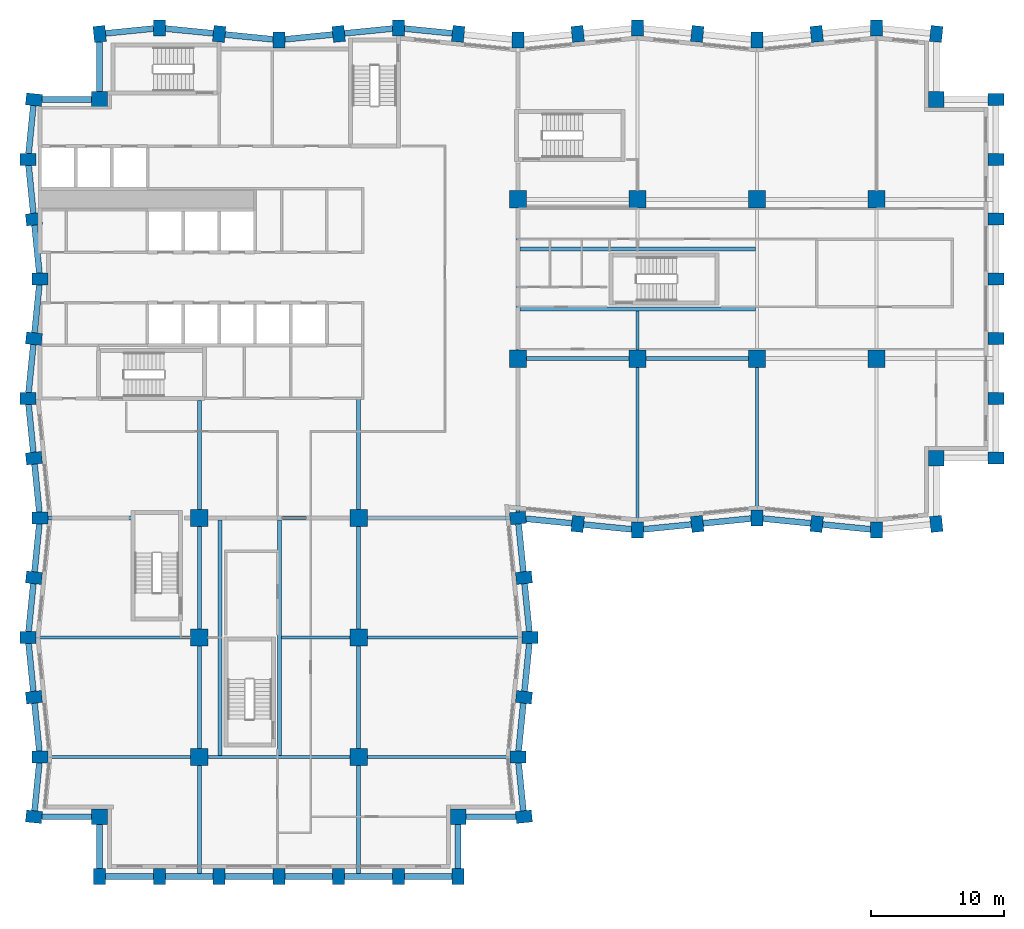
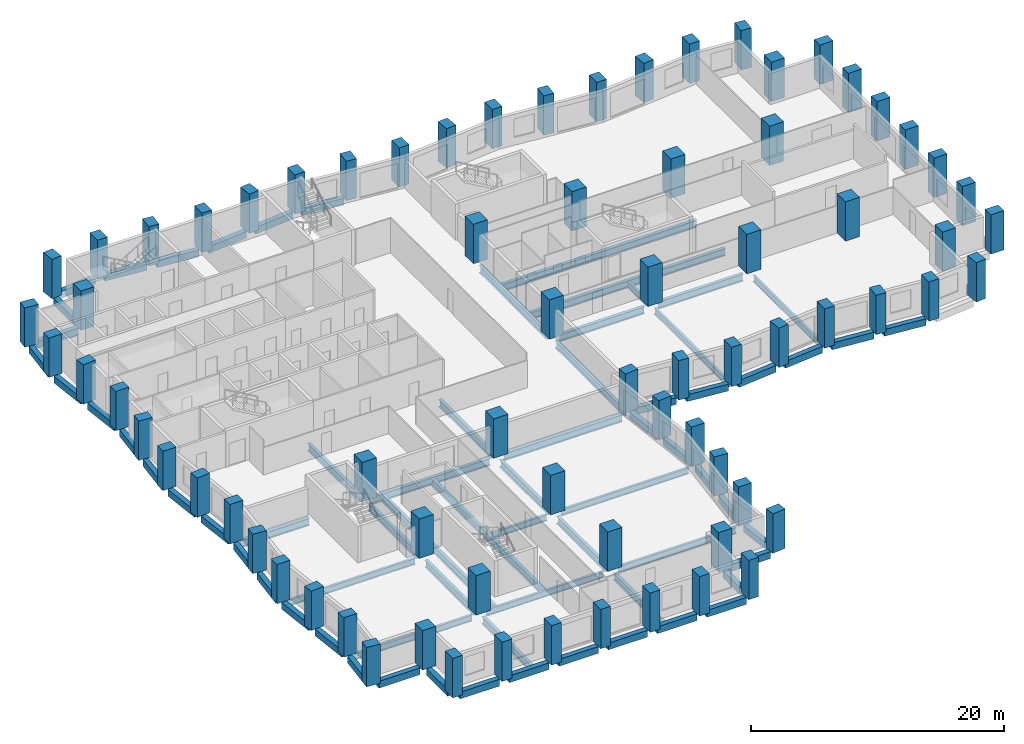
# One storey, part 1 of 11: 74 columns, 69 beams.
"""IFC4 building model written with IfcOpenShell, lengths in metres."""

from ifc_helpers import new_model, si_unit, direction, frame, origin, origin_2d, place, context, subcontext, project, spatial, rectangle, i_section, extrude, material, material_profile, profile_set, type_object, element, save


model = new_model("IFC4")

# Units and contexts
model_context = context("Model", 3, precision=1e-05, world=origin(), true_north=direction((0.0, 1.0)))
body_context = subcontext(model_context, "Body", "Model", "MODEL_VIEW")
ifc_project = project(units=[si_unit("LENGTHUNIT", "METRE"), si_unit("AREAUNIT", "SQUARE_METRE"), si_unit("VOLUMEUNIT", "CUBIC_METRE"), si_unit("PLANEANGLEUNIT", "RADIAN"), si_unit("MASSUNIT", "GRAM", prefix="KILO")], contexts=[model_context])

# Site, building, storey
site_placement = place(None, origin())
site = spatial("IfcSite", under=ifc_project, at=site_placement, CompositionType="ELEMENT")
building_placement = place(site_placement, origin())
building = spatial("IfcBuilding", under=site, at=building_placement, Name="Brondeck Convention Tower", CompositionType="ELEMENT")
storey_placement = place(building_placement, frame((0.0, 0.0, 134.10009765625)))
storey = spatial("IfcBuildingStorey", under=building, at=storey_placement, Name="L32", CompositionType="ELEMENT", Elevation=134.10009765625)

# Columns
ifc_material_1 = material(Name="Concrete C70/85", Category="concrete")
ifc_material_profile_1 = material_profile(ifc_material_1, rectangle(XDim=1.199951171875, YDim=1.199951171875, at=origin_2d()), Name="Corner column 1200x1200 Concrete C70/85")
ifc_profile_set_1 = profile_set([ifc_material_profile_1], Name="Concrete C70/85")
column_type_1 = type_object("IfcColumnType", Name="Corner column 1200x1200 Concrete C70/85", PredefinedType="COLUMN", material=ifc_profile_set_1)
for number, where, z_axis, x_axis, name in (
    (1, (4.5, 4.5, 0.0), (0.0, 0.0, 1.0), (1.0, 0.0, 0.0), "STR-COL-L32-NC-SWB0"),
    (2, (31.5, 4.5, 0.0), (0.0, 0.0, 1.0), (1.0, 0.0, 0.0), "STR-COL-L32-NC-SEB0"),
    (3, (67.5, 31.5, 0.0), (0.0, 0.0, 1.0), (1.0, 0.0, 0.0), "STR-COL-L32-NC-SEA72"),
    (4, (67.5, 58.5, 0.0), (0.0, 0.0, 1.0), (1.0, 0.0, 0.0), "STR-COL-L32-NC-NEA72"),
    (5, (4.5, 58.5, 0.0), (0.0, 0.0, 1.0), (1.0, 0.0, 0.0), "STR-COL-L32-NC-NW"),
):
    element("IfcColumn", number, at=place(storey_placement, frame(where, z_axis=z_axis, x_axis=x_axis)), inside=storey, type_object=column_type_1, Name=name, PredefinedType="COLUMN", context=body_context, shape_type="SweptSolid", body=[
        extrude(rectangle(XDim=1.199951171875, YDim=1.199951171875, at=origin_2d()), origin(), (0.0, 0.0, 1.0), 3.7998046875),
    ])
ifc_material_profile_2 = material_profile(ifc_material_1, rectangle(XDim=1.300048828125, YDim=1.300048828125, at=origin_2d()), Name="Interior column 1300x1300 Concrete C70/85")
ifc_profile_set_2 = profile_set([ifc_material_profile_2], Name="Concrete C70/85")
column_type_2 = type_object("IfcColumnType", Name="Interior column 1300x1300 Concrete C70/85", PredefinedType="COLUMN", material=ifc_profile_set_2)
for number, where, z_axis, x_axis, name in (
    (6, (12.0, 9.0, 0.0), (0.0, 0.0, 1.0), (1.0, 0.0, 0.0), "STR-COL-L32-IC-01"),
    (7, (12.0, 18.0, 0.0), (0.0, 0.0, 1.0), (1.0, 0.0, 0.0), "STR-COL-L32-IC-02"),
    (8, (12.0, 27.0, 0.0), (0.0, 0.0, 1.0), (1.0, 0.0, 0.0), "STR-COL-L32-IC-03"),
    (9, (24.0, 9.0, 0.0), (0.0, 0.0, 1.0), (1.0, 0.0, 0.0), "STR-COL-L32-IC-04"),
    (10, (24.0, 18.0, 0.0), (0.0, 0.0, 1.0), (1.0, 0.0, 0.0), "STR-COL-L32-IC-05"),
    (11, (24.0, 27.0, 0.0), (0.0, 0.0, 1.0), (1.0, 0.0, 0.0), "STR-COL-L32-IC-06"),
    (12, (36.0, 39.0, 0.0), (0.0, 0.0, 1.0), (1.0, 0.0, 0.0), "STR-COL-L32-IC-07"),
    (13, (36.0, 51.0, 0.0), (0.0, 0.0, 1.0), (1.0, 0.0, 0.0), "STR-COL-L32-IC-08"),
    (14, (45.0, 39.0, 0.0), (0.0, 0.0, 1.0), (1.0, 0.0, 0.0), "STR-COL-L32-IC-09"),
    (15, (45.0, 51.0, 0.0), (0.0, 0.0, 1.0), (1.0, 0.0, 0.0), "STR-COL-L32-IC-10"),
    (16, (54.0, 39.0, 0.0), (0.0, 0.0, 1.0), (1.0, 0.0, 0.0), "STR-COL-L32-IC-11"),
    (17, (54.0, 51.0, 0.0), (0.0, 0.0, 1.0), (1.0, 0.0, 0.0), "STR-COL-L32-IC-12"),
    (18, (63.0, 39.0, 0.0), (0.0, 0.0, 1.0), (1.0, 0.0, 0.0), "STR-COL-L32-IC-13"),
    (19, (63.0, 51.0, 0.0), (0.0, 0.0, 1.0), (1.0, 0.0, 0.0), "STR-COL-L32-IC-14"),
):
    element("IfcColumn", number, at=place(storey_placement, frame(where, z_axis=z_axis, x_axis=x_axis)), inside=storey, type_object=column_type_2, Name=name, PredefinedType="COLUMN", context=body_context, shape_type="SweptSolid", body=[
        extrude(rectangle(XDim=1.300048828125, YDim=1.300048828125, at=origin_2d()), origin(), (0.0, 0.0, 1.0), 3.7998046875),
    ])
ifc_material_profile_3 = material_profile(ifc_material_1, rectangle(XDim=0.89990234375, YDim=1.199951171875, at=origin_2d()), Name="Perimeter pier 900x1200 Concrete C70/85")
ifc_profile_set_3 = profile_set([ifc_material_profile_3], Name="Concrete C70/85")
column_type_3 = type_object("IfcColumnType", Name="Perimeter pier 900x1200 Concrete C70/85", PredefinedType="COLUMN", material=ifc_profile_set_3)
for number, where, z_axis, x_axis, name in (
    (20, (4.5, 0.0, 0.0), (0.0, 0.0, 1.0), (1.0, 0.0, 0.0), "STR-COL-L32-PC-B-S0-01"),
    (21, (9.0, 0.0, 0.0), (0.0, 0.0, 1.0), (1.0, 0.0, 0.0), "STR-COL-L32-PC-B-S0-02"),
    (22, (13.5, 0.0, 0.0), (0.0, 0.0, 1.0), (1.0, 0.0, 0.0), "STR-COL-L32-PC-B-S0-03"),
    (23, (18.0, 0.0, 0.0), (0.0, 0.0, 1.0), (1.0, 0.0, 0.0), "STR-COL-L32-PC-B-S0-04"),
    (24, (22.5, 0.0, 0.0), (0.0, 0.0, 1.0), (1.0, 0.0, 0.0), "STR-COL-L32-PC-B-S0-05"),
    (25, (27.0, 0.0, 0.0), (0.0, 0.0, 1.0), (1.0, 0.0, 0.0), "STR-COL-L32-PC-B-S0-06"),
    (26, (31.5, 0.0, 0.0), (0.0, 0.0, 1.0), (1.0, 0.0, 0.0), "STR-COL-L32-PC-B-S0-07"),
    (27, (36.449951171875, 4.5, 0.0), (0.0, 0.0, 1.0), (-0.0995038382, 0.995037178292, 0.0), "STR-COL-L32-PC-B-E-05"),
    (28, (36.0, 9.0, 0.0), (0.0, 0.0, 1.0), (0.0, 1.0, 0.0), "STR-COL-L32-PC-B-E-04"),
    (29, (36.449951171875, 13.5, 0.0), (0.0, 0.0, 1.0), (0.0995038382, 0.995037178292, 0.0), "STR-COL-L32-PC-B-E-03"),
    (30, (36.89990234375, 18.0, 0.0), (0.0, 0.0, 1.0), (0.0, 1.0, 0.0), "STR-COL-L32-PC-B-E-02"),
    (31, (36.449951171875, 22.5, 0.0), (0.0, 0.0, 1.0), (-0.0995038382, 0.995037178292, 0.0), "STR-COL-L32-PC-B-E-01"),
    (32, (36.0, 27.0, 0.0), (0.0, 0.0, 1.0), (-0.0995038382, 0.995037178292, 0.0), "STR-COL-L32-PC-B-E-00"),
    (33, (40.5, 26.550048828125, 0.0), (0.0, 0.0, 1.0), (0.995037178292, -0.0995038382, 0.0), "STR-COL-L32-PC-A-S-01"),
    (34, (45.0, 26.10009765625, 0.0), (0.0, 0.0, 1.0), (1.0, 0.0, 0.0), "STR-COL-L32-PC-A-S-02"),
    (35, (49.5, 26.550048828125, 0.0), (0.0, 0.0, 1.0), (0.995037178292, 0.0995038382, 0.0), "STR-COL-L32-PC-A-S-03"),
    (36, (54.0, 27.0, 0.0), (0.0, 0.0, 1.0), (1.0, 0.0, 0.0), "STR-COL-L32-PC-A-S-04"),
    (37, (58.5, 26.550048828125, 0.0), (0.0, 0.0, 1.0), (0.995037178292, -0.0995038382, 0.0), "STR-COL-L32-PC-A-S-05"),
    (38, (63.0, 26.10009765625, 0.0), (0.0, 0.0, 1.0), (1.0, 0.0, 0.0), "STR-COL-L32-PC-A-S-06"),
    (39, (67.5, 26.550048828125, 0.0), (0.0, 0.0, 1.0), (0.995037178292, 0.0995038382, 0.0), "STR-COL-L32-PC-A-S-07"),
    (40, (72.0, 31.5, 0.0), (0.0, 0.0, 1.0), (0.0, 1.0, 0.0), "STR-COL-L32-PC-A-E72-01"),
    (41, (72.0, 36.0, 0.0), (0.0, 0.0, 1.0), (0.0, 1.0, 0.0), "STR-COL-L32-PC-A-E72-02"),
    (42, (72.0, 40.5, 0.0), (0.0, 0.0, 1.0), (0.0, 1.0, 0.0), "STR-COL-L32-PC-A-E72-03"),
    (43, (72.0, 45.0, 0.0), (0.0, 0.0, 1.0), (0.0, 1.0, 0.0), "STR-COL-L32-PC-A-E72-04"),
    (44, (72.0, 49.5, 0.0), (0.0, 0.0, 1.0), (0.0, 1.0, 0.0), "STR-COL-L32-PC-A-E72-05"),
    (45, (72.0, 54.0, 0.0), (0.0, 0.0, 1.0), (0.0, 1.0, 0.0), "STR-COL-L32-PC-A-E72-06"),
    (46, (72.0, 58.5, 0.0), (0.0, 0.0, 1.0), (0.0, 1.0, 0.0), "STR-COL-L32-PC-A-E72-07"),
    (47, (67.5, 63.449951171875, 0.0), (0.0, 0.0, 1.0), (-0.995037178292, 0.0995038382, 0.0), "STR-COL-L32-PC-A-N-15"),
    (48, (63.0, 63.89990234375, 0.0), (0.0, 0.0, 1.0), (-1.0, 0.0, 0.0), "STR-COL-L32-PC-A-N-14"),
    (49, (58.5, 63.449951171875, 0.0), (0.0, 0.0, 1.0), (-0.995037178292, -0.0995038382, 0.0), "STR-COL-L32-PC-A-N-13"),
    (50, (54.0, 63.0, 0.0), (0.0, 0.0, 1.0), (-1.0, 0.0, 0.0), "STR-COL-L32-PC-A-N-12"),
    (51, (49.5, 63.449951171875, 0.0), (0.0, 0.0, 1.0), (-0.995037178292, 0.0995038382, 0.0), "STR-COL-L32-PC-A-N-11"),
    (52, (45.0, 63.89990234375, 0.0), (0.0, 0.0, 1.0), (-1.0, 0.0, 0.0), "STR-COL-L32-PC-A-N-10"),
    (53, (40.5, 63.449951171875, 0.0), (0.0, 0.0, 1.0), (-0.995037178292, -0.0995038382, 0.0), "STR-COL-L32-PC-A-N-09"),
    (54, (36.0, 63.0, 0.0), (0.0, 0.0, 1.0), (-1.0, 0.0, 0.0), "STR-COL-L32-PC-A-N-08"),
    (55, (31.5, 63.449951171875, 0.0), (0.0, 0.0, 1.0), (-0.995037178292, 0.0995038382, 0.0), "STR-COL-L32-PC-A-N-07"),
    (56, (27.0, 63.89990234375, 0.0), (0.0, 0.0, 1.0), (-1.0, 0.0, 0.0), "STR-COL-L32-PC-A-N-06"),
    (57, (22.5, 63.449951171875, 0.0), (0.0, 0.0, 1.0), (-0.995037178292, -0.0995038382, 0.0), "STR-COL-L32-PC-A-N-05"),
    (58, (18.0, 63.0, 0.0), (0.0, 0.0, 1.0), (-1.0, 0.0, 0.0), "STR-COL-L32-PC-A-N-04"),
    (59, (13.5, 63.449951171875, 0.0), (0.0, 0.0, 1.0), (-0.995037178292, 0.0995038382, 0.0), "STR-COL-L32-PC-A-N-03"),
    (60, (9.0, 63.89990234375, 0.0), (0.0, 0.0, 1.0), (-1.0, 0.0, 0.0), "STR-COL-L32-PC-A-N-02"),
    (61, (4.5, 63.449951171875, 0.0), (0.0, 0.0, 1.0), (-0.995037178292, -0.0995038382, 0.0), "STR-COL-L32-PC-A-N-01"),
    (62, (-0.449951171875, 58.5, 0.0), (0.0, 0.0, 1.0), (-0.0995038382, -0.995037178292, 0.0), "STR-COL-L32-PC-B-W-01"),
    (63, (-0.89990234375, 54.0, 0.0), (0.0, 0.0, 1.0), (0.0, -1.0, 0.0), "STR-COL-L32-PC-B-W-02"),
    (64, (-0.449951171875, 49.5, 0.0), (0.0, 0.0, 1.0), (0.0995038382, -0.995037178292, 0.0), "STR-COL-L32-PC-B-W-03"),
    (65, (0.0, 45.0, 0.0), (0.0, 0.0, 1.0), (0.0, -1.0, 0.0), "STR-COL-L32-PC-B-W-04"),
    (66, (-0.449951171875, 40.5, 0.0), (0.0, 0.0, 1.0), (-0.0995038382, -0.995037178292, 0.0), "STR-COL-L32-PC-B-W-05"),
    (67, (-0.89990234375, 36.0, 0.0), (0.0, 0.0, 1.0), (0.0, -1.0, 0.0), "STR-COL-L32-PC-B-W-06"),
    (68, (-0.449951171875, 31.5, 0.0), (0.0, 0.0, 1.0), (0.0995038382, -0.995037178292, 0.0), "STR-COL-L32-PC-B-W-07"),
    (69, (0.0, 27.0, 0.0), (0.0, 0.0, 1.0), (0.0, -1.0, 0.0), "STR-COL-L32-PC-B-W-08"),
    (70, (-0.449951171875, 22.5, 0.0), (0.0, 0.0, 1.0), (-0.0995038382, -0.995037178292, 0.0), "STR-COL-L32-PC-B-W-09"),
    (71, (-0.89990234375, 18.0, 0.0), (0.0, 0.0, 1.0), (0.0, -1.0, 0.0), "STR-COL-L32-PC-B-W-10"),
    (72, (-0.449951171875, 13.5, 0.0), (0.0, 0.0, 1.0), (0.0995038382, -0.995037178292, 0.0), "STR-COL-L32-PC-B-W-11"),
    (73, (0.0, 9.0, 0.0), (0.0, 0.0, 1.0), (0.0, -1.0, 0.0), "STR-COL-L32-PC-B-W-12"),
    (74, (-0.449951171875, 4.5, 0.0), (0.0, 0.0, 1.0), (-0.0995038382, -0.995037178292, 0.0), "STR-COL-L32-PC-B-W-13"),
):
    element("IfcColumn", number, at=place(storey_placement, frame(where, z_axis=z_axis, x_axis=x_axis)), inside=storey, type_object=column_type_3, Name=name, PredefinedType="COLUMN", context=body_context, shape_type="SweptSolid", body=[
        extrude(rectangle(XDim=0.89990234375, YDim=1.199951171875, at=origin_2d()), origin(), (0.0, 0.0, 1.0), 3.7998046875),
    ])

# Beams
ifc_material_2 = material(Name="Steel S355", Category="steel")
ifc_material_profile_4 = material_profile(ifc_material_2, i_section(OverallWidth=0.219970703125, OverallDepth=0.60009765625, WebThickness=0.011962890625, FlangeThickness=0.01904296875, FilletRadius=0.02392578125, at=origin_2d()), Name="IPE 600")
ifc_profile_set_4 = profile_set([ifc_material_profile_4], Name="Steel S355")
beam_type_1 = type_object("IfcBeamType", Name="Floor beam IPE 600", PredefinedType="BEAM", material=ifc_profile_set_4)
beam_1_placement = place(storey_placement, frame((45.0, 26.699951171875, -0.60009765625), z_axis=(0.0, 1.0, 0.0), x_axis=(-1.0, 0.0, 0.0)))
element("IfcBeam", 75, at=beam_1_placement, inside=storey, type_object=beam_type_1, Name="STR-FB-L32-001", PredefinedType="BEAM", context=body_context, shape_type="SweptSolid", body=[
    extrude(i_section(OverallWidth=0.219970703125, OverallDepth=0.60009765625, WebThickness=0.011962890625, FlangeThickness=0.01904296875, FilletRadius=0.02392578125, at=origin_2d()), origin(), (0.0, 0.0, 1.0), 11.650146484375),
])
for number, where, z_axis, x_axis, name in (
    (76, (54.0, 27.60009765625, -0.60009765625), (0.0, 1.0, 0.0), (-1.0, 0.0, 0.0), "STR-FB-L32-003"),
    (77, (0.60009765625, 9.0, -0.60009765625), (1.0, 0.0, 0.0), (0.0, 1.0, 0.0), "STR-FB-L32-009"),
):
    element("IfcBeam", number, at=place(storey_placement, frame(where, z_axis=z_axis, x_axis=x_axis)), inside=storey, type_object=beam_type_1, Name=name, PredefinedType="BEAM", context=body_context, shape_type="SweptSolid", body=[
        extrude(i_section(OverallWidth=0.219970703125, OverallDepth=0.60009765625, WebThickness=0.011962890625, FlangeThickness=0.01904296875, FilletRadius=0.02392578125, at=origin_2d()), origin(), (0.0, 0.0, 1.0), 10.75),
    ])
beam_2_placement = place(storey_placement, frame((12.64990234375, 9.0, -0.60009765625), z_axis=(1.0, 0.0, 0.0), x_axis=(0.0, 1.0, 0.0)))
element("IfcBeam", 78, at=beam_2_placement, inside=storey, type_object=beam_type_1, Name="STR-FB-L32-010", PredefinedType="BEAM", context=body_context, shape_type="SweptSolid", body=[
    extrude(i_section(OverallWidth=0.219970703125, OverallDepth=0.60009765625, WebThickness=0.011962890625, FlangeThickness=0.01904296875, FilletRadius=0.02392578125, at=origin_2d()), origin(), (0.0, 0.0, 1.0), 10.7001953125),
])
beam_3_placement = place(storey_placement, frame((24.64990234375, 9.0, -0.60009765625), z_axis=(1.0, 0.0, 0.0), x_axis=(0.0, 1.0, 0.0)))
element("IfcBeam", 79, at=beam_3_placement, inside=storey, type_object=beam_type_1, Name="STR-FB-L32-011", PredefinedType="BEAM", context=body_context, shape_type="SweptSolid", body=[
    extrude(i_section(OverallWidth=0.219970703125, OverallDepth=0.60009765625, WebThickness=0.011962890625, FlangeThickness=0.01904296875, FilletRadius=0.02392578125, at=origin_2d()), origin(), (0.0, 0.0, 1.0), 10.75),
])
for number, where, z_axis, x_axis, name in (
    (80, (-0.300048828125, 18.0, -0.60009765625), (1.0, 0.0, 0.0), (0.0, 1.0, 0.0), "STR-FB-L32-012"),
    (81, (24.64990234375, 18.0, -0.60009765625), (1.0, 0.0, 0.0), (0.0, 1.0, 0.0), "STR-FB-L32-013"),
):
    element("IfcBeam", number, at=place(storey_placement, frame(where, z_axis=z_axis, x_axis=x_axis)), inside=storey, type_object=beam_type_1, Name=name, PredefinedType="BEAM", context=body_context, shape_type="SweptSolid", body=[
        extrude(i_section(OverallWidth=0.219970703125, OverallDepth=0.60009765625, WebThickness=0.011962890625, FlangeThickness=0.01904296875, FilletRadius=0.02392578125, at=origin_2d()), origin(), (0.0, 0.0, 1.0), 11.650146484375),
    ])
beam_4_placement = place(storey_placement, frame((45.0, 39.64990234375, -0.60009765625), z_axis=(0.0, 1.0, 0.0), x_axis=(-1.0, 0.0, 0.0)))
element("IfcBeam", 82, at=beam_4_placement, inside=storey, type_object=beam_type_1, Name="STR-FB-L32-014", PredefinedType="BEAM", context=body_context, shape_type="SweptSolid", body=[
    extrude(i_section(OverallWidth=0.219970703125, OverallDepth=0.60009765625, WebThickness=0.011962890625, FlangeThickness=0.01904296875, FilletRadius=0.02392578125, at=origin_2d()), origin(), (0.0, 0.0, 1.0), 2.9501953125),
])
beam_5_placement = place(storey_placement, frame((18.199951171875, 18.0, -0.60009765625), z_axis=(1.0, 0.0, 0.0), x_axis=(0.0, 1.0, 0.0)))
element("IfcBeam", 83, at=beam_5_placement, inside=storey, type_object=beam_type_1, Name="STR-FB-L32-016", PredefinedType="BEAM", context=body_context, shape_type="SweptSolid", body=[
    extrude(i_section(OverallWidth=0.219970703125, OverallDepth=0.60009765625, WebThickness=0.011962890625, FlangeThickness=0.01904296875, FilletRadius=0.02392578125, at=origin_2d()), origin(), (0.0, 0.0, 1.0), 5.150146484375),
])
ifc_material_profile_5 = material_profile(ifc_material_2, i_section(OverallWidth=0.300048828125, OverallDepth=0.699951171875, WebThickness=0.01708984375, FlangeThickness=0.031982421875, FilletRadius=0.027099609375, at=origin_2d()), Name="HEB 700")
ifc_profile_set_5 = profile_set([ifc_material_profile_5], Name="Steel S355")
beam_type_2 = type_object("IfcBeamType", Name="Girder HEB 700", PredefinedType="BEAM", material=ifc_profile_set_5)
for number, where, z_axis, x_axis, name in (
    (84, (36.64990234375, 39.0, -0.650146484375), (1.0, 0.0, 0.0), (0.0, 1.0, 0.0), "STR-GR-L32-001"),
    (85, (45.64990234375, 39.0, -0.650146484375), (1.0, 0.0, 0.0), (0.0, 1.0, 0.0), "STR-GR-L32-002"),
):
    element("IfcBeam", number, at=place(storey_placement, frame(where, z_axis=z_axis, x_axis=x_axis)), inside=storey, type_object=beam_type_2, Name=name, PredefinedType="BEAM", context=body_context, shape_type="SweptSolid", body=[
        extrude(i_section(OverallWidth=0.300048828125, OverallDepth=0.699951171875, WebThickness=0.01708984375, FlangeThickness=0.031982421875, FilletRadius=0.027099609375, at=origin_2d()), origin(), (0.0, 0.0, 1.0), 7.7001953125),
    ])
beam_6_placement = place(storey_placement, frame((36.0, 27.4521484375, -0.650146484375), z_axis=(0.0, 1.0, 0.0), x_axis=(-1.0, 0.0, 0.0)))
element("IfcBeam", 86, at=beam_6_placement, inside=storey, type_object=beam_type_2, Name="STR-GR-L32-009", PredefinedType="BEAM", context=body_context, shape_type="SweptSolid", body=[
    extrude(i_section(OverallWidth=0.300048828125, OverallDepth=0.699951171875, WebThickness=0.01708984375, FlangeThickness=0.031982421875, FilletRadius=0.027099609375, at=origin_2d()), origin(), (0.0, 0.0, 1.0), 10.89794921875),
])
beam_7_placement = place(storey_placement, frame((36.0, 39.64990234375, -0.650146484375), z_axis=(0.0, 1.0, 0.0), x_axis=(-1.0, 0.0, 0.0)))
element("IfcBeam", 87, at=beam_7_placement, inside=storey, type_object=beam_type_2, Name="STR-GR-L32-010", PredefinedType="BEAM", context=body_context, shape_type="SweptSolid", body=[
    extrude(i_section(OverallWidth=0.300048828125, OverallDepth=0.699951171875, WebThickness=0.01708984375, FlangeThickness=0.031982421875, FilletRadius=0.027099609375, at=origin_2d()), origin(), (0.0, 0.0, 1.0), 10.7001953125),
])
beam_8_placement = place(storey_placement, frame((12.0, 35.85009765625, -0.650146484375), z_axis=(0.0, -1.0, 0.0), x_axis=(1.0, 0.0, 0.0)))
element("IfcBeam", 88, at=beam_8_placement, inside=storey, type_object=beam_type_2, Name="STR-GR-L32-013", PredefinedType="BEAM", context=body_context, shape_type="SweptSolid", body=[
    extrude(i_section(OverallWidth=0.300048828125, OverallDepth=0.699951171875, WebThickness=0.01708984375, FlangeThickness=0.031982421875, FilletRadius=0.027099609375, at=origin_2d()), origin(), (0.0, 0.0, 1.0), 8.2001953125),
])
for number, where, z_axis, x_axis, name in (
    (89, (12.0, 26.35009765625, -0.650146484375), (0.0, -1.0, 0.0), (1.0, 0.0, 0.0), "STR-GR-L32-014"),
    (90, (12.0, 17.35009765625, -0.650146484375), (0.0, -1.0, 0.0), (1.0, 0.0, 0.0), "STR-GR-L32-015"),
):
    element("IfcBeam", number, at=place(storey_placement, frame(where, z_axis=z_axis, x_axis=x_axis)), inside=storey, type_object=beam_type_2, Name=name, PredefinedType="BEAM", context=body_context, shape_type="SweptSolid", body=[
        extrude(i_section(OverallWidth=0.300048828125, OverallDepth=0.699951171875, WebThickness=0.01708984375, FlangeThickness=0.031982421875, FilletRadius=0.027099609375, at=origin_2d()), origin(), (0.0, 0.0, 1.0), 7.7001953125),
    ])
beam_9_placement = place(storey_placement, frame((12.0, 8.35009765625, -0.650146484375), z_axis=(0.0, -1.0, 0.0), x_axis=(1.0, 0.0, 0.0)))
element("IfcBeam", 91, at=beam_9_placement, inside=storey, type_object=beam_type_2, Name="STR-GR-L32-016", PredefinedType="BEAM", context=body_context, shape_type="SweptSolid", body=[
    extrude(i_section(OverallWidth=0.300048828125, OverallDepth=0.699951171875, WebThickness=0.01708984375, FlangeThickness=0.031982421875, FilletRadius=0.027099609375, at=origin_2d()), origin(), (0.0, 0.0, 1.0), 8.125),
])
beam_10_placement = place(storey_placement, frame((24.0, 35.955078125, -0.650146484375), z_axis=(0.0, -1.0, 0.0), x_axis=(1.0, 0.0, 0.0)))
element("IfcBeam", 92, at=beam_10_placement, inside=storey, type_object=beam_type_2, Name="STR-GR-L32-017", PredefinedType="BEAM", context=body_context, shape_type="SweptSolid", body=[
    extrude(i_section(OverallWidth=0.300048828125, OverallDepth=0.699951171875, WebThickness=0.01708984375, FlangeThickness=0.031982421875, FilletRadius=0.027099609375, at=origin_2d()), origin(), (0.0, 0.0, 1.0), 8.30517578125),
])
for number, where, z_axis, x_axis, name in (
    (93, (24.0, 26.35009765625, -0.650146484375), (0.0, -1.0, 0.0), (1.0, 0.0, 0.0), "STR-GR-L32-018"),
    (94, (24.0, 17.35009765625, -0.650146484375), (0.0, -1.0, 0.0), (1.0, 0.0, 0.0), "STR-GR-L32-019"),
):
    element("IfcBeam", number, at=place(storey_placement, frame(where, z_axis=z_axis, x_axis=x_axis)), inside=storey, type_object=beam_type_2, Name=name, PredefinedType="BEAM", context=body_context, shape_type="SweptSolid", body=[
        extrude(i_section(OverallWidth=0.300048828125, OverallDepth=0.699951171875, WebThickness=0.01708984375, FlangeThickness=0.031982421875, FilletRadius=0.027099609375, at=origin_2d()), origin(), (0.0, 0.0, 1.0), 7.7001953125),
    ])
beam_11_placement = place(storey_placement, frame((24.0, 8.35009765625, -0.650146484375), z_axis=(0.0, -1.0, 0.0), x_axis=(1.0, 0.0, 0.0)))
element("IfcBeam", 95, at=beam_11_placement, inside=storey, type_object=beam_type_2, Name="STR-GR-L32-020", PredefinedType="BEAM", context=body_context, shape_type="SweptSolid", body=[
    extrude(i_section(OverallWidth=0.300048828125, OverallDepth=0.699951171875, WebThickness=0.01708984375, FlangeThickness=0.031982421875, FilletRadius=0.027099609375, at=origin_2d()), origin(), (0.0, 0.0, 1.0), 8.125),
])
beam_12_placement = place(storey_placement, frame((0.60009765625, 27.0, -0.650146484375), z_axis=(1.0, 0.0, 0.0), x_axis=(0.0, 1.0, 0.0)))
element("IfcBeam", 96, at=beam_12_placement, inside=storey, type_object=beam_type_2, Name="STR-GR-L32-021", PredefinedType="BEAM", context=body_context, shape_type="SweptSolid", body=[
    extrude(i_section(OverallWidth=0.300048828125, OverallDepth=0.699951171875, WebThickness=0.01708984375, FlangeThickness=0.031982421875, FilletRadius=0.027099609375, at=origin_2d()), origin(), (0.0, 0.0, 1.0), 6.27978515625),
])
beam_13_placement = place(storey_placement, frame((12.64990234375, 27.0, -0.650146484375), z_axis=(1.0, 0.0, 0.0), x_axis=(0.0, 1.0, 0.0)))
element("IfcBeam", 97, at=beam_13_placement, inside=storey, type_object=beam_type_2, Name="STR-GR-L32-022", PredefinedType="BEAM", context=body_context, shape_type="SweptSolid", body=[
    extrude(i_section(OverallWidth=0.300048828125, OverallDepth=0.699951171875, WebThickness=0.01708984375, FlangeThickness=0.031982421875, FilletRadius=0.027099609375, at=origin_2d()), origin(), (0.0, 0.0, 1.0), 10.7001953125),
])
beam_14_placement = place(storey_placement, frame((24.64990234375, 27.0, -0.650146484375), z_axis=(1.0, 0.0, 0.0), x_axis=(0.0, 1.0, 0.0)))
element("IfcBeam", 98, at=beam_14_placement, inside=storey, type_object=beam_type_2, Name="STR-GR-L32-023", PredefinedType="BEAM", context=body_context, shape_type="SweptSolid", body=[
    extrude(i_section(OverallWidth=0.300048828125, OverallDepth=0.699951171875, WebThickness=0.01708984375, FlangeThickness=0.031982421875, FilletRadius=0.027099609375, at=origin_2d()), origin(), (0.0, 0.0, 1.0), 10.7470703125),
])
for number, where, z_axis, x_axis, name in (
    (99, (36.14990234375, 42.75, -0.650146484375), (1.0, 0.0, 0.0), (0.0, 1.0, 0.0), "STR-GR-L32-024"),
    (100, (36.14990234375, 47.25, -0.650146484375), (1.0, 0.0, 0.0), (0.0, 1.0, 0.0), "STR-GR-L32-025"),
    (101, (13.550048828125, 9.110107421875, -0.650146484375), (0.0, 1.0, 0.0), (-1.0, 0.0, 0.0), "STR-GR-L32-026"),
    (102, (18.050048828125, 9.110107421875, -0.650146484375), (0.0, 1.0, 0.0), (-1.0, 0.0, 0.0), "STR-GR-L32-027"),
):
    element("IfcBeam", number, at=place(storey_placement, frame(where, z_axis=z_axis, x_axis=x_axis)), inside=storey, type_object=beam_type_2, Name=name, PredefinedType="BEAM", context=body_context, shape_type="SweptSolid", body=[
        extrude(i_section(OverallWidth=0.300048828125, OverallDepth=0.699951171875, WebThickness=0.01708984375, FlangeThickness=0.031982421875, FilletRadius=0.027099609375, at=origin_2d()), origin(), (0.0, 0.0, 1.0), 17.739990234375),
    ])
ifc_material_profile_6 = material_profile(ifc_material_1, rectangle(XDim=0.449951171875, YDim=0.64990234375, at=origin_2d()), Name="Precast spandrel 450x650 Concrete C70/85")
ifc_profile_set_6 = profile_set([ifc_material_profile_6], Name="Concrete C70/85")
beam_type_3 = type_object("IfcBeamType", Name="Precast spandrel 450x650 Concrete C70/85", PredefinedType="SPANDREL", material=ifc_profile_set_6)
for number, where, z_axis, x_axis, name in (
    (103, (4.949951171875, 0.0, -0.3251953125), (1.0, 0.0, 0.0), (0.0, 1.0, 0.0), "STR-SP-L32-001"),
    (104, (9.449951171875, 0.0, -0.3251953125), (1.0, 0.0, 0.0), (0.0, 1.0, 0.0), "STR-SP-L32-002"),
    (105, (13.949951171875, 0.0, -0.3251953125), (1.0, 0.0, 0.0), (0.0, 1.0, 0.0), "STR-SP-L32-003"),
    (106, (18.449951171875, 0.0, -0.3251953125), (1.0, 0.0, 0.0), (0.0, 1.0, 0.0), "STR-SP-L32-004"),
    (107, (22.949951171875, 0.0, -0.3251953125), (1.0, 0.0, 0.0), (0.0, 1.0, 0.0), "STR-SP-L32-005"),
    (108, (27.449951171875, 0.0, -0.3251953125), (1.0, 0.0, 0.0), (0.0, 1.0, 0.0), "STR-SP-L32-006"),
):
    element("IfcBeam", number, at=place(storey_placement, frame(where, z_axis=z_axis, x_axis=x_axis)), inside=storey, type_object=beam_type_3, Name=name, PredefinedType="SPANDREL", context=body_context, shape_type="SweptSolid", body=[
        extrude(rectangle(XDim=0.449951171875, YDim=0.64990234375, at=origin_2d()), origin(), (0.0, 0.0, 1.0), 3.60009765625),
    ])
beam_15_placement = place(storey_placement, frame((31.5, 0.60009765625, -0.3251953125), z_axis=(0.0, 1.0, 0.0), x_axis=(-1.0, 0.0, 0.0)))
element("IfcBeam", 109, at=beam_15_placement, inside=storey, type_object=beam_type_3, Name="STR-SP-L32-007", PredefinedType="SPANDREL", context=body_context, shape_type="SweptSolid", body=[
    extrude(rectangle(XDim=0.449951171875, YDim=0.64990234375, at=origin_2d()), origin(), (0.0, 0.0, 1.0), 3.2998046875),
])
beam_16_placement = place(storey_placement, frame((32.10009765625, 4.5, -0.3251953125), z_axis=(1.0, 0.0, 0.0), x_axis=(0.0, 1.0, 0.0)))
element("IfcBeam", 110, at=beam_16_placement, inside=storey, type_object=beam_type_3, Name="STR-SP-L32-008", PredefinedType="SPANDREL", context=body_context, shape_type="SweptSolid", body=[
    extrude(rectangle(XDim=0.449951171875, YDim=0.64990234375, at=origin_2d()), origin(), (0.0, 0.0, 1.0), 3.746826171875),
])
for number, where, z_axis, x_axis, name in (
    (111, (36.4052734375, 4.94775390625, -0.3251953125), (-0.099537103649, 0.995033851182, 0.0), (-0.995033851182, -0.099537103649, 0.0), "STR-SP-L32-009"),
    (112, (36.044921875, 9.449951171875, -0.3251953125), (0.099537103649, 0.995033851182, 0.0), (-0.995033851182, 0.099537103649, 0.0), "STR-SP-L32-010"),
    (113, (36.494873046875, 13.94775390625, -0.3251953125), (0.099470334057, 0.995040528141, 0.0), (-0.995040528141, 0.099470334057, 0.0), "STR-SP-L32-011"),
    (114, (36.85498046875, 18.449951171875, -0.3251953125), (-0.099470334057, 0.995040528141, 0.0), (-0.995040528141, -0.099470334057, 0.0), "STR-SP-L32-012"),
):
    element("IfcBeam", number, at=place(storey_placement, frame(where, z_axis=z_axis, x_axis=x_axis)), inside=storey, type_object=beam_type_3, Name=name, PredefinedType="SPANDREL", context=body_context, shape_type="SweptSolid", body=[
        extrude(rectangle(XDim=0.449951171875, YDim=0.64990234375, at=origin_2d()), origin(), (0.0, 0.0, 1.0), 3.620361328125),
    ])
beam_17_placement = place(storey_placement, frame((36.4052734375, 22.94775390625, -0.3251953125), z_axis=(-0.099543756114, 0.995033185687, 0.0), x_axis=(-0.995033185687, -0.099543756114, 0.0)))
element("IfcBeam", 115, at=beam_17_placement, inside=storey, type_object=beam_type_3, Name="STR-SP-L32-013", PredefinedType="SPANDREL", context=body_context, shape_type="SweptSolid", body=[
    extrude(rectangle(XDim=0.449951171875, YDim=0.64990234375, at=origin_2d()), origin(), (0.0, 0.0, 1.0), 3.62255859375),
])
beam_18_placement = place(storey_placement, frame((36.609130859375, 26.939208984375, -0.3251953125), z_axis=(0.995032299082, -0.099552618167, 0.0), x_axis=(0.099552618167, 0.995032299082, 0.0)))
element("IfcBeam", 116, at=beam_18_placement, inside=storey, type_object=beam_type_3, Name="STR-SP-L32-014", PredefinedType="SPANDREL", context=body_context, shape_type="SweptSolid", body=[
    extrude(rectangle(XDim=0.449951171875, YDim=0.64990234375, at=origin_2d()), origin(), (0.0, 0.0, 1.0), 3.460205078125),
])
for number, where, z_axis, x_axis, name in (
    (117, (40.94775390625, 26.505126953125, -0.3251953125), (0.995040528141, -0.099470334057, 0.0), (0.099470334057, 0.995040528141, 0.0), "STR-SP-L32-015"),
    (118, (45.449951171875, 26.14501953125, -0.3251953125), (0.995040528141, 0.099470334057, 0.0), (-0.099470334057, 0.995040528141, 0.0), "STR-SP-L32-016"),
    (119, (49.94775390625, 26.5947265625, -0.3251953125), (0.995033851182, 0.099537103649, 0.0), (-0.099537103649, 0.995033851182, 0.0), "STR-SP-L32-017"),
    (120, (54.449951171875, 26.955078125, -0.3251953125), (0.995033851182, -0.099537103649, 0.0), (0.099537103649, 0.995033851182, 0.0), "STR-SP-L32-018"),
    (121, (58.94775390625, 26.505126953125, -0.3251953125), (0.995040528141, -0.099470334057, 0.0), (0.099470334057, 0.995040528141, 0.0), "STR-SP-L32-019"),
    (122, (31.05224609375, 63.494873046875, -0.3251953125), (-0.995040528141, 0.099470334057, 0.0), (-0.099470334057, -0.995040528141, 0.0), "STR-SP-L32-039"),
    (123, (26.550048828125, 63.85498046875, -0.3251953125), (-0.995040528141, -0.099470334057, 0.0), (0.099470334057, -0.995040528141, 0.0), "STR-SP-L32-040"),
    (124, (22.05224609375, 63.4052734375, -0.3251953125), (-0.995033851182, -0.099537103649, 0.0), (0.099537103649, -0.995033851182, 0.0), "STR-SP-L32-041"),
    (125, (17.550048828125, 63.044921875, -0.3251953125), (-0.995033851182, 0.099537103649, 0.0), (-0.099537103649, -0.995033851182, 0.0), "STR-SP-L32-042"),
    (126, (13.05224609375, 63.494873046875, -0.3251953125), (-0.995040528141, 0.099470334057, 0.0), (-0.099470334057, -0.995040528141, 0.0), "STR-SP-L32-043"),
    (127, (8.550048828125, 63.85498046875, -0.3251953125), (-0.995040528141, -0.099470334057, 0.0), (0.099470334057, -0.995040528141, 0.0), "STR-SP-L32-044"),
):
    element("IfcBeam", number, at=place(storey_placement, frame(where, z_axis=z_axis, x_axis=x_axis)), inside=storey, type_object=beam_type_3, Name=name, PredefinedType="SPANDREL", context=body_context, shape_type="SweptSolid", body=[
        extrude(rectangle(XDim=0.449951171875, YDim=0.64990234375, at=origin_2d()), origin(), (0.0, 0.0, 1.0), 3.620361328125),
    ])
for number, where, z_axis, x_axis, name in (
    (128, (4.5, 62.846923828125, -0.3251953125), (0.0, -1.0, 0.0), (1.0, 0.0, 0.0), "STR-SP-L32-045"),
    (129, (3.89990234375, 58.5, -0.3251953125), (-1.0, 0.0, 0.0), (0.0, -1.0, 0.0), "STR-SP-L32-046"),
):
    element("IfcBeam", number, at=place(storey_placement, frame(where, z_axis=z_axis, x_axis=x_axis)), inside=storey, type_object=beam_type_3, Name=name, PredefinedType="SPANDREL", context=body_context, shape_type="SweptSolid", body=[
        extrude(rectangle(XDim=0.449951171875, YDim=0.64990234375, at=origin_2d()), origin(), (0.0, 0.0, 1.0), 3.746826171875),
    ])
for number, where, z_axis, x_axis, name in (
    (130, (-0.494873046875, 58.05224609375, -0.3251953125), (-0.099470334057, -0.995040528141, 0.0), (0.995040528141, -0.099470334057, 0.0), "STR-SP-L32-047"),
    (131, (-0.85498046875, 53.550048828125, -0.3251953125), (0.099470334057, -0.995040528141, 0.0), (0.995040528141, 0.099470334057, 0.0), "STR-SP-L32-048"),
    (132, (-0.4052734375, 49.05224609375, -0.3251953125), (0.099537103649, -0.995033851182, 0.0), (0.995033851182, 0.099537103649, 0.0), "STR-SP-L32-049"),
    (133, (-0.044921875, 44.550048828125, -0.3251953125), (-0.099537103649, -0.995033851182, 0.0), (0.995033851182, -0.099537103649, 0.0), "STR-SP-L32-050"),
    (134, (-0.494873046875, 40.05224609375, -0.3251953125), (-0.099470334057, -0.995040528141, 0.0), (0.995040528141, -0.099470334057, 0.0), "STR-SP-L32-051"),
    (135, (-0.85498046875, 35.550048828125, -0.3251953125), (0.099470334057, -0.995040528141, 0.0), (0.995040528141, 0.099470334057, 0.0), "STR-SP-L32-052"),
    (136, (-0.4052734375, 31.05224609375, -0.3251953125), (0.099537103649, -0.995033851182, 0.0), (0.995033851182, 0.099537103649, 0.0), "STR-SP-L32-053"),
    (137, (-0.044921875, 26.550048828125, -0.3251953125), (-0.099537103649, -0.995033851182, 0.0), (0.995033851182, -0.099537103649, 0.0), "STR-SP-L32-054"),
    (138, (-0.494873046875, 22.05224609375, -0.3251953125), (-0.099470334057, -0.995040528141, 0.0), (0.995040528141, -0.099470334057, 0.0), "STR-SP-L32-055"),
    (139, (-0.85498046875, 17.550048828125, -0.3251953125), (0.099470334057, -0.995040528141, 0.0), (0.995040528141, 0.099470334057, 0.0), "STR-SP-L32-056"),
    (140, (-0.4052734375, 13.05224609375, -0.3251953125), (0.099537103649, -0.995033851182, 0.0), (0.995033851182, 0.099537103649, 0.0), "STR-SP-L32-057"),
    (141, (-0.044921875, 8.550048828125, -0.3251953125), (-0.099537103649, -0.995033851182, 0.0), (0.995033851182, -0.099537103649, 0.0), "STR-SP-L32-058"),
):
    element("IfcBeam", number, at=place(storey_placement, frame(where, z_axis=z_axis, x_axis=x_axis)), inside=storey, type_object=beam_type_3, Name=name, PredefinedType="SPANDREL", context=body_context, shape_type="SweptSolid", body=[
        extrude(rectangle(XDim=0.449951171875, YDim=0.64990234375, at=origin_2d()), origin(), (0.0, 0.0, 1.0), 3.620361328125),
    ])
beam_19_placement = place(storey_placement, frame((0.153076171875, 4.5, -0.3251953125), z_axis=(1.0, 0.0, 0.0), x_axis=(0.0, 1.0, 0.0)))
element("IfcBeam", 142, at=beam_19_placement, inside=storey, type_object=beam_type_3, Name="STR-SP-L32-059", PredefinedType="SPANDREL", context=body_context, shape_type="SweptSolid", body=[
    extrude(rectangle(XDim=0.449951171875, YDim=0.64990234375, at=origin_2d()), origin(), (0.0, 0.0, 1.0), 3.746826171875),
])
beam_20_placement = place(storey_placement, frame((4.5, 3.89990234375, -0.3251953125), z_axis=(0.0, -1.0, 0.0), x_axis=(1.0, 0.0, 0.0)))
element("IfcBeam", 143, at=beam_20_placement, inside=storey, type_object=beam_type_3, Name="STR-SP-L32-060", PredefinedType="SPANDREL", context=body_context, shape_type="SweptSolid", body=[
    extrude(rectangle(XDim=0.449951171875, YDim=0.64990234375, at=origin_2d()), origin(), (0.0, 0.0, 1.0), 3.2998046875),
])

save(model, "model.ifc")
